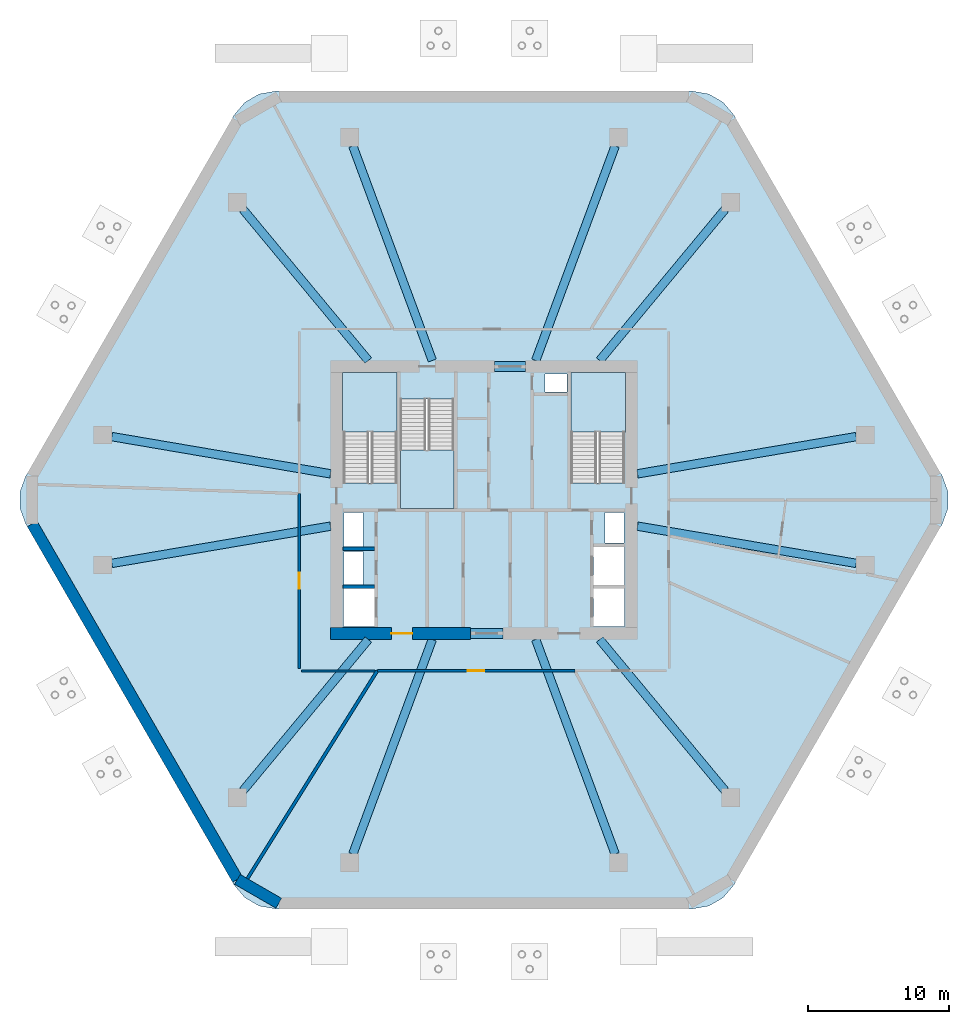
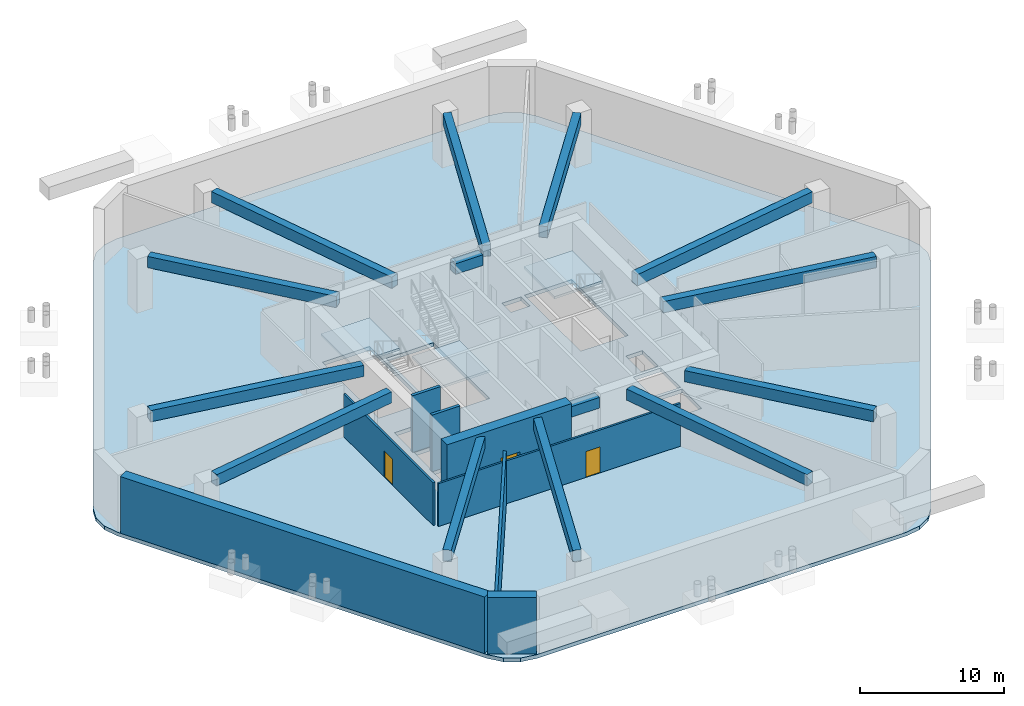
# One storey, part 6 of 10: 14 beams, 9 walls, 4 slabs, 3 doors, 3 openings, 3 elements without a shape of their own.
"""IFC4 building model written with IfcOpenShell, lengths in metres."""

from ifc_helpers import new_model, si_unit, direction, frame, frame_2d, origin, origin_2d, place, context, subcontext, project, spatial, polyline, rectangle, outline, extrude, material, layer, layer_set, material_profile, profile_set, type_object, element, fill, aggregate, save


model = new_model("IFC4")

# Units and contexts
model_context = context("Model", 3, precision=1e-05, world=origin(), true_north=direction((0.0, 1.0)))
body_context = subcontext(model_context, "Body", "Model", "MODEL_VIEW")
ifc_project = project(units=[si_unit("LENGTHUNIT", "METRE"), si_unit("AREAUNIT", "SQUARE_METRE"), si_unit("VOLUMEUNIT", "CUBIC_METRE"), si_unit("PLANEANGLEUNIT", "RADIAN"), si_unit("MASSUNIT", "GRAM", prefix="KILO")], contexts=[model_context])

# Site, building, storey
site_placement = place(None, origin())
site = spatial("IfcSite", under=ifc_project, at=site_placement, CompositionType="ELEMENT")
building_placement = place(site_placement, origin())
building = spatial("IfcBuilding", under=site, at=building_placement, Name="Zuhravey Tower", CompositionType="ELEMENT")
storey_placement = place(building_placement, frame((0.0, 0.0, -4.800048828125)))
storey = spatial("IfcBuildingStorey", under=building, at=storey_placement, Name="B01", CompositionType="ELEMENT", Elevation=-4.800048828125)

# Beams
ifc_material_1 = material(Name="Concrete C50/60", Category="concrete")
ifc_material_profile_1 = material_profile(ifc_material_1, rectangle(XDim=0.60009765625, YDim=0.949951171875, at=origin_2d()), Name="RC-600x950")
ifc_profile_set_1 = profile_set([ifc_material_profile_1], Name="Concrete C50/60")
beam_type_1 = type_object("IfcBeamType", Name="Basement RC Beam 600x950", PredefinedType="BEAM", material=ifc_profile_set_1)
beam_1_placement = place(storey_placement, frame((46.927978515625, 33.861328125, 4.10498046875), z_axis=(0.985803633134, 0.16790234334, 0.0), x_axis=(-0.16790234334, 0.985803633134, 0.0)))
element("IfcBeam", 1, at=beam_1_placement, inside=storey, type_object=beam_type_1, Name="B01 BB1 BM-B01-BB1-01", PredefinedType="BEAM", context=body_context, shape_type="SweptSolid", body=[
    extrude(rectangle(XDim=0.60009765625, YDim=0.949951171875, at=origin_2d()), origin(), (0.0, 0.0, 1.0), 15.782470703125),
])
beam_2_placement = place(storey_placement, frame((44.232421875, 41.927978515625, 4.10498046875), z_axis=(0.63830202718, 0.769786023579, 0.0), x_axis=(-0.769786023579, 0.63830202718, 0.0)))
element("IfcBeam", 2, at=beam_2_placement, inside=storey, type_object=beam_type_1, Name="B01 BB1 BM-B01-BB1-02", PredefinedType="BEAM", context=body_context, shape_type="SweptSolid", body=[
    extrude(rectangle(XDim=0.60009765625, YDim=0.949951171875, at=origin_2d()), origin(), (0.0, 0.0, 1.0), 13.970703125),
])
for number, where, z_axis, x_axis, name in (
    (3, (39.67919921875, 41.927978515625, 4.10498046875), (0.347497019727, 0.937681087194, 0.0), (-0.937681087194, 0.347497019727, 0.0), "B01 BB1 BM-B01-BB1-03"),
    (4, (32.32080078125, 41.927978515625, 4.10498046875), (-0.347497019727, 0.937681087194, 0.0), (-0.937681087194, -0.347497019727, 0.0), "B01 BB1 BM-B01-BB1-04"),
):
    element("IfcBeam", number, at=place(storey_placement, frame(where, z_axis=z_axis, x_axis=x_axis)), inside=storey, type_object=beam_type_1, Name=name, PredefinedType="BEAM", context=body_context, shape_type="SweptSolid", body=[
        extrude(rectangle(XDim=0.60009765625, YDim=0.949951171875, at=origin_2d()), origin(), (0.0, 0.0, 1.0), 16.280029296875),
    ])
beam_3_placement = place(storey_placement, frame((27.767578125, 41.927978515625, 4.10498046875), z_axis=(-0.63830202718, 0.769786023579, 0.0), x_axis=(-0.769786023579, -0.63830202718, 0.0)))
element("IfcBeam", 5, at=beam_3_placement, inside=storey, type_object=beam_type_1, Name="B01 BB1 BM-B01-BB1-05", PredefinedType="BEAM", context=body_context, shape_type="SweptSolid", body=[
    extrude(rectangle(XDim=0.60009765625, YDim=0.949951171875, at=origin_2d()), origin(), (0.0, 0.0, 1.0), 13.970703125),
])
for number, where, z_axis, x_axis, name in (
    (6, (25.072021484375, 33.861328125, 4.10498046875), (-0.985803633134, 0.16790234334, 0.0), (-0.16790234334, -0.985803633134, 0.0), "B01 BB1 BM-B01-BB1-06"),
    (7, (25.072021484375, 30.138671875, 4.10498046875), (-0.985803633134, -0.16790234334, 0.0), (0.16790234334, -0.985803633134, 0.0), "B01 BB1 BM-B01-BB1-07"),
):
    element("IfcBeam", number, at=place(storey_placement, frame(where, z_axis=z_axis, x_axis=x_axis)), inside=storey, type_object=beam_type_1, Name=name, PredefinedType="BEAM", context=body_context, shape_type="SweptSolid", body=[
        extrude(rectangle(XDim=0.60009765625, YDim=0.949951171875, at=origin_2d()), origin(), (0.0, 0.0, 1.0), 15.782470703125),
    ])
beam_4_placement = place(storey_placement, frame((27.767578125, 22.072021484375, 4.10498046875), z_axis=(-0.63830202718, -0.769786023579, 0.0), x_axis=(0.769786023579, -0.63830202718, 0.0)))
element("IfcBeam", 8, at=beam_4_placement, inside=storey, type_object=beam_type_1, Name="B01 BB1 BM-B01-BB1-08", PredefinedType="BEAM", context=body_context, shape_type="SweptSolid", body=[
    extrude(rectangle(XDim=0.60009765625, YDim=0.949951171875, at=origin_2d()), origin(), (0.0, 0.0, 1.0), 13.970703125),
])
for number, where, z_axis, x_axis, name in (
    (9, (32.32080078125, 22.072021484375, 4.10498046875), (-0.347497019727, -0.937681087194, 0.0), (0.937681087194, -0.347497019727, 0.0), "B01 BB1 BM-B01-BB1-09"),
    (10, (39.67919921875, 22.072021484375, 4.10498046875), (0.347497019727, -0.937681087194, 0.0), (0.937681087194, 0.347497019727, 0.0), "B01 BB1 BM-B01-BB1-10"),
):
    element("IfcBeam", number, at=place(storey_placement, frame(where, z_axis=z_axis, x_axis=x_axis)), inside=storey, type_object=beam_type_1, Name=name, PredefinedType="BEAM", context=body_context, shape_type="SweptSolid", body=[
        extrude(rectangle(XDim=0.60009765625, YDim=0.949951171875, at=origin_2d()), origin(), (0.0, 0.0, 1.0), 16.280029296875),
    ])
beam_5_placement = place(storey_placement, frame((44.232421875, 22.072021484375, 4.10498046875), z_axis=(0.63830202718, -0.769786023579, 0.0), x_axis=(0.769786023579, 0.63830202718, 0.0)))
element("IfcBeam", 11, at=beam_5_placement, inside=storey, type_object=beam_type_1, Name="B01 BB1 BM-B01-BB1-11", PredefinedType="BEAM", context=body_context, shape_type="SweptSolid", body=[
    extrude(rectangle(XDim=0.60009765625, YDim=0.949951171875, at=origin_2d()), origin(), (0.0, 0.0, 1.0), 13.970703125),
])
beam_6_placement = place(storey_placement, frame((46.927978515625, 30.138671875, 4.10498046875), z_axis=(0.985803633134, -0.16790234334, 0.0), x_axis=(0.16790234334, 0.985803633134, 0.0)))
element("IfcBeam", 12, at=beam_6_placement, inside=storey, type_object=beam_type_1, Name="B01 BB1 BM-B01-BB1-12", PredefinedType="BEAM", context=body_context, shape_type="SweptSolid", body=[
    extrude(rectangle(XDim=0.60009765625, YDim=0.949951171875, at=origin_2d()), origin(), (0.0, 0.0, 1.0), 15.782470703125),
])
ifc_material_2 = material(Name="Concrete C60/75", Category="concrete")
ifc_material_profile_2 = material_profile(ifc_material_2, rectangle(XDim=0.699951171875, YDim=0.89990234375, at=origin_2d()), Name="RC-700x900")
ifc_profile_set_2 = profile_set([ifc_material_profile_2], Name="Concrete C60/75")
beam_type_2 = type_object("IfcBeamType", Name="Core Coupling Beam RC700x900", PredefinedType="LINTEL", material=ifc_profile_set_2)
beam_7_placement = place(storey_placement, frame((35.052001953125, 22.5, 4.030029296875), z_axis=(1.0, 0.0, 0.0), x_axis=(0.0, 1.0, 0.0)))
element("IfcBeam", 13, at=beam_7_placement, inside=storey, type_object=beam_type_2, Name="B01 CB1 BM-B01-CB-S", PredefinedType="LINTEL", context=body_context, shape_type="SweptSolid", body=[
    extrude(rectangle(XDim=0.699951171875, YDim=0.89990234375, at=origin_2d()), origin(), (0.0, 0.0, 1.0), 2.2958984375),
])
beam_8_placement = place(storey_placement, frame((36.751953125, 41.5, 4.030029296875), z_axis=(1.0, 0.0, 0.0), x_axis=(0.0, 1.0, 0.0)))
element("IfcBeam", 14, at=beam_8_placement, inside=storey, type_object=beam_type_2, Name="B01 CB1 BM-B01-CB-N", PredefinedType="LINTEL", context=body_context, shape_type="SweptSolid", body=[
    extrude(rectangle(XDim=0.699951171875, YDim=0.89990234375, at=origin_2d()), origin(), (0.0, 0.0, 1.0), 2.196044921875),
])

# Slab
ifc_layer_1 = layer(ifc_material_1, 0.320068359375)
ifc_layer_set_1 = layer_set([ifc_layer_1], Name="Concrete C50/60")
slab_type_1 = type_object("IfcSlabType", Name="Basement Suspended Slab 320", PredefinedType="FLOOR", material=ifc_layer_set_1)
slab_1_placement = place(storey_placement, frame((0.0, 0.0, -0.320068359375)))
element("IfcSlab", 15, at=slab_1_placement, inside=storey, type_object=slab_type_1, Name="B01 Basement Suspended Slab FS32", PredefinedType="FLOOR", context=body_context, shape_type="SweptSolid", body=[
    extrude(outline(polyline([(68.618408203125, 30.300048828125), (69.0224609375, 31.40966796875), (69.0224609375, 32.59033203125), (68.618408203125, 33.699951171875), (53.781494140625, 59.3984375), (53.0224609375, 60.302978515625), (52.0, 60.893310546875), (50.8369140625, 61.098388671875), (21.1630859375, 61.098388671875), (20.0, 60.893310546875), (18.9775390625, 60.302978515625), (18.218505859375, 59.3984375), (3.381591796875, 33.699951171875), (2.9775390625, 32.59033203125), (2.9775390625, 31.40966796875), (3.381591796875, 30.300048828125), (18.218505859375, 4.6015625), (18.9775390625, 3.697021484375), (20.0, 3.106689453125), (21.1630859375, 2.901611328125), (50.8369140625, 2.901611328125), (52.0, 3.106689453125), (53.0224609375, 3.697021484375), (53.781494140625, 4.6015625), (68.618408203125, 30.300048828125)]), holes=[polyline([(29.800048828125, 33.20068359375), (29.800048828125, 41.0), (26.0, 41.0), (26.0, 33.20068359375), (29.800048828125, 33.20068359375)]), polyline([(46.0, 33.20068359375), (46.0, 41.0), (42.199951171875, 41.0), (42.199951171875, 33.20068359375), (46.0, 33.20068359375)]), polyline([(30.050048828125, 39.199462890625), (30.050048828125, 31.39990234375), (33.85009765625, 31.39990234375), (33.85009765625, 39.199462890625), (30.050048828125, 39.199462890625)]), polyline([(26.0, 23.0), (28.199951171875, 23.0), (28.199951171875, 25.699951171875), (26.0, 25.699951171875), (26.0, 23.0)]), polyline([(43.800048828125, 23.0), (46.0, 23.0), (46.0, 25.699951171875), (43.800048828125, 25.699951171875), (43.800048828125, 23.0)]), polyline([(43.800048828125, 25.949951171875), (46.0, 25.949951171875), (46.0, 28.64990234375), (43.800048828125, 28.64990234375), (43.800048828125, 25.949951171875)]), polyline([(26.050048828125, 26.0), (27.39990234375, 26.0), (27.39990234375, 28.35009765625), (26.050048828125, 28.35009765625), (26.050048828125, 26.0)]), polyline([(26.050048828125, 28.699951171875), (27.39990234375, 28.699951171875), (27.39990234375, 31.10009765625), (26.050048828125, 31.10009765625), (26.050048828125, 28.699951171875)]), polyline([(44.60009765625, 28.949951171875), (45.949951171875, 28.949951171875), (45.949951171875, 31.10009765625), (44.60009765625, 31.10009765625), (44.60009765625, 28.949951171875)]), polyline([(40.35009765625, 39.699951171875), (41.89990234375, 39.699951171875), (41.89990234375, 40.949951171875), (40.35009765625, 40.949951171875), (40.35009765625, 39.699951171875)])]), origin(), (0.0, 0.0, 1.0), 0.320068359375),
])

# Stair, slab
ifc_material_3 = material(Name="Concrete C40/50", Category="concrete")
stair_type = type_object("IfcStairType", Name="Basement Stair Assembly 4800", PredefinedType="HALF_TURN_STAIR", material=ifc_material_3)
stair_1_placement = place(storey_placement, origin())
stair_1 = element("IfcStair", 16, at=stair_1_placement, inside=storey, type_object=stair_type, Name="B01 Core Exit Stair ST1", PredefinedType="HALF_TURN_STAIR")
ifc_layer_2 = layer(ifc_material_3, 0.199951171875)
ifc_layer_set_2 = layer_set([ifc_layer_2], Name="Concrete C40/50")
slab_type_2 = type_object("IfcSlabType", Name="Stair Landing Slab 200", PredefinedType="LANDING", material=ifc_layer_set_2)
slab_2_placement = place(storey_placement, frame((0.0, 0.0, 2.199951171875)))
slab_2 = element("IfcSlab", 17, at=slab_2_placement, type_object=slab_type_2, Name="ST1 landing 1", PredefinedType="LANDING", context=body_context, shape_type="SweptSolid", body=[
    extrude(outline(polyline([(29.800048828125, 36.840087890625), (29.800048828125, 41.072998046875), (25.927001953125, 41.072998046875), (25.927001953125, 36.840087890625), (29.800048828125, 36.840087890625)])), origin(), (0.0, 0.0, 1.0), 0.2001953125),
])
aggregate(stair_1, [slab_2])

stair_2_placement = place(storey_placement, origin())
stair_2 = element("IfcStair", 18, at=stair_2_placement, inside=storey, type_object=stair_type, Name="B01 Core Exit Stair ST2", PredefinedType="HALF_TURN_STAIR")
slab_3_placement = place(storey_placement, frame((0.0, 0.0, 2.199951171875)))
slab_3 = element("IfcSlab", 19, at=slab_3_placement, type_object=slab_type_2, Name="ST2 landing 1", PredefinedType="LANDING", context=body_context, shape_type="SweptSolid", body=[
    extrude(outline(polyline([(46.072998046875, 36.840087890625), (46.072998046875, 41.072998046875), (42.199951171875, 41.072998046875), (42.199951171875, 36.840087890625), (46.072998046875, 36.840087890625)])), origin(), (0.0, 0.0, 1.0), 0.2001953125),
])
aggregate(stair_2, [slab_3])

stair_3_placement = place(storey_placement, origin())
stair_3 = element("IfcStair", 20, at=stair_3_placement, inside=storey, type_object=stair_type, Name="B01 Core Exit Stair ST3", PredefinedType="HALF_TURN_STAIR")
slab_4_placement = place(storey_placement, frame((0.0, 0.0, 2.199951171875)))
slab_4 = element("IfcSlab", 21, at=slab_4_placement, type_object=slab_type_2, Name="ST3 landing 1", PredefinedType="LANDING", context=body_context, shape_type="SweptSolid", body=[
    extrude(outline(polyline([(30.050048828125, 35.56005859375), (30.050048828125, 31.39990234375), (33.85009765625, 31.39990234375), (33.85009765625, 35.56005859375), (30.050048828125, 35.56005859375)])), origin(), (0.0, 0.0, 1.0), 0.2001953125),
])
aggregate(stair_3, [slab_4])

# Walls
ifc_layer_3 = layer(ifc_material_1, 0.800048828125)
ifc_layer_set_3 = layer_set([ifc_layer_3], Name="Concrete C50/60")
wall_type_1 = type_object("IfcWallType", Name="Basement Retaining Wall 800", PredefinedType="USERDEFINED", material=ifc_layer_set_3)
wall_1_placement = place(storey_placement, frame((3.843505859375, 30.300048828125, 0.0), z_axis=(0.0, 0.0, 1.0), x_axis=(0.499995192696, -0.866028179265, 0.0)))
element("IfcWall", 22, at=wall_1_placement, inside=storey, type_object=wall_type_1, Name="B01 Retaining Wall RW80-08", ObjectType="RETAININGWALL", PredefinedType="USERDEFINED", context=body_context, shape_type="SweptSolid", body=[
    extrude(rectangle(XDim=29.212158203125, YDim=0.800048828125, at=frame_2d((14.60595703125, 0.0))), origin(), (0.0, 0.0, 1.0), 4.800048828125),
])
wall_2_placement = place(storey_placement, frame((18.449462890625, 5.00146484375, 0.0), z_axis=(0.0, 0.0, 1.0), x_axis=(0.866020560687, -0.500008388397, 0.0)))
element("IfcWall", 23, at=wall_2_placement, inside=storey, type_object=wall_type_1, Name="B01 Retaining Wall RW80-09", ObjectType="RETAININGWALL", PredefinedType="USERDEFINED", context=body_context, shape_type="SweptSolid", body=[
    extrude(rectangle(XDim=3.39990234375, YDim=0.800048828125, at=frame_2d((1.699951171875, 0.0))), origin(), (0.0, 0.0, 1.0), 4.800048828125),
])

# Wall, opening, door
ifc_layer_4 = layer(ifc_material_2, 0.85009765625)
ifc_layer_set_4 = layer_set([ifc_layer_4], Name="Concrete C60/75")
wall_type_2 = type_object("IfcWallType", Name="Core Shear Wall 850", PredefinedType="SHEAR", material=ifc_layer_set_4)
wall_3_placement = place(storey_placement, frame((25.074951171875, 22.5, 0.0), z_axis=(0.0, 0.0, 1.0), x_axis=(1.0, 0.0, 0.0)))
wall_3 = element("IfcWall", 24, at=wall_3_placement, inside=storey, type_object=wall_type_2, Name="B01 South-West Core Shear Wall CW85", PredefinedType="SHEAR", context=body_context, shape_type="SweptSolid", body=[
    extrude(rectangle(XDim=9.97509765625, YDim=0.85009765625, at=frame_2d((4.987548828125, 0.0))), origin(), (0.0, 0.0, 1.0), 4.800048828125),
])
opening_1_placement = place(wall_3_placement, frame((4.324951171875, 0.0, 0.0)))
opening_1 = element("IfcOpeningElement", 25, at=opening_1_placement, cuts=wall_3, Name="Opening FFD1", PredefinedType="OPENING", context=body_context, shape_type="SweptSolid", body=[
    extrude(rectangle(XDim=1.5, YDim=2.14990234375, at=frame_2d((0.75, 1.074951171875))), frame((0.0, 0.43701171875, 0.0), z_axis=(0.0, -1.0, 0.0), x_axis=(1.0, 0.0, 0.0)), (0.0, 0.0, 1.0), 0.8740234375),
])
ifc_material_4 = material(Name="Galvanised fire-rated steel leaf", Category="steel")
door_type_1 = type_object("IfcDoorType", Name="Firefighting Lobby Double Door 1500x2150", OperationType="DOUBLE_DOOR_SINGLE_SWING", PredefinedType="DOOR", material=ifc_material_4)
door_1_placement = place(opening_1_placement, origin())
door_1 = element("IfcDoor", 26, at=door_1_placement, inside=storey, type_object=door_type_1, Name="B01 Firefighting Lobby West Door", OperationType="DOUBLE_DOOR_SINGLE_SWING", OverallHeight=2.14990234375, OverallWidth=1.5, PredefinedType="DOOR", context=body_context, shape_type="SweptSolid", body=[
    extrude(rectangle(XDim=1.5, YDim=2.14990234375, at=frame_2d((0.75, 1.074951171875))), frame((0.0, 0.02490234375, 0.0), z_axis=(0.0, -1.0, 0.0), x_axis=(1.0, 0.0, 0.0)), (0.0, 0.0, 1.0), 0.050048828125),
])
fill(opening_1, door_1)

ifc_material_5 = material(Name="Gypsum fire-rated stud partition")
ifc_layer_5 = layer(ifc_material_5, 0.159912109375)
ifc_layer_set_5 = layer_set([ifc_layer_5], Name="Gypsum fire-rated stud partition")
wall_type_3 = type_object("IfcWallType", Name="Corridor Fire Partition 160", PredefinedType="PARTITIONING", material=ifc_layer_set_5)
wall_4_placement = place(storey_placement, frame((22.844970703125, 32.45947265625, 0.0), z_axis=(0.0, 0.0, 1.0), x_axis=(0.0, -1.0, 0.0)))
wall_4 = element("IfcWall", 27, at=wall_4_placement, inside=storey, type_object=wall_type_3, Name="B01 IW16 Partition 022", PredefinedType="PARTITIONING", context=body_context, shape_type="SweptSolid", body=[
    extrude(rectangle(XDim=12.4345703125, YDim=0.159912109375, at=frame_2d((6.21728515625, 0.0))), origin(), (0.0, 0.0, 1.0), 3.630126953125),
])
opening_2_placement = place(wall_4_placement, frame((5.64208984375, 0.0, 0.0)))
opening_2 = element("IfcOpeningElement", 28, at=opening_2_placement, cuts=wall_4, Name="Opening CLD1", PredefinedType="OPENING", context=body_context, shape_type="SweptSolid", body=[
    extrude(rectangle(XDim=1.14990234375, YDim=2.199951171875, at=frame_2d((0.574951171875, 1.10009765625))), frame((0.0, 0.092041015625, 0.0), z_axis=(0.0, -1.0, 0.0), x_axis=(1.0, 0.0, 0.0)), (0.0, 0.0, 1.0), 0.183837890625),
])
ifc_material_6 = material(Name="Acoustic timber leaf with vision lite", Category="wood")
door_type_2 = type_object("IfcDoorType", Name="Classroom Acoustic Door 1150x2200", OperationType="NOTDEFINED", PredefinedType="DOOR", material=ifc_material_6)
door_2_placement = place(opening_2_placement, frame((1.14990234375, 0.0, 0.0), z_axis=(0.0, 0.0, 1.0), x_axis=(-1.0, 0.0, 0.0)))
door_2 = element("IfcDoor", 29, at=door_2_placement, inside=storey, type_object=door_type_2, Name="B01 Door 022.1", OperationType="SINGLE_SWING_RIGHT", OverallHeight=2.199951171875, OverallWidth=1.14990234375, PredefinedType="DOOR", context=body_context, shape_type="SweptSolid", body=[
    extrude(rectangle(XDim=1.14990234375, YDim=2.199951171875, at=frame_2d((0.574951171875, 1.10009765625))), frame((0.0, 0.02490234375, 0.0), z_axis=(0.0, -1.0, 0.0), x_axis=(1.0, 0.0, 0.0)), (0.0, 0.0, 1.0), 0.050048828125),
])
fill(opening_2, door_2)

wall_5_placement = place(storey_placement, frame((28.40478515625, 19.844970703125, 0.0), z_axis=(0.0, 0.0, 1.0), x_axis=(1.0, 0.0, 0.0)))
wall_5 = element("IfcWall", 30, at=wall_5_placement, inside=storey, type_object=wall_type_3, Name="B01 IW16 Partition 023", PredefinedType="PARTITIONING", context=body_context, shape_type="SweptSolid", body=[
    extrude(rectangle(XDim=14.05810546875, YDim=0.159912109375, at=frame_2d((7.029052734375, 0.0))), origin(), (0.0, 0.0, 1.0), 3.630126953125),
])
opening_3_placement = place(wall_5_placement, frame((6.4541015625, 0.0, 0.0)))
opening_3 = element("IfcOpeningElement", 31, at=opening_3_placement, cuts=wall_5, Name="Opening CLD1", PredefinedType="OPENING", context=body_context, shape_type="SweptSolid", body=[
    extrude(rectangle(XDim=1.14990234375, YDim=2.199951171875, at=frame_2d((0.574951171875, 1.10009765625))), frame((0.0, 0.092041015625, 0.0), z_axis=(0.0, -1.0, 0.0), x_axis=(1.0, 0.0, 0.0)), (0.0, 0.0, 1.0), 0.183837890625),
])
door_3_placement = place(opening_3_placement, frame((1.14990234375, 0.0, 0.0), z_axis=(0.0, 0.0, 1.0), x_axis=(-1.0, 0.0, 0.0)))
door_3 = element("IfcDoor", 32, at=door_3_placement, inside=storey, type_object=door_type_2, Name="B01 Door 023.1", OperationType="SINGLE_SWING_LEFT", OverallHeight=2.199951171875, OverallWidth=1.14990234375, PredefinedType="DOOR", context=body_context, shape_type="SweptSolid", body=[
    extrude(rectangle(XDim=1.14990234375, YDim=2.199951171875, at=frame_2d((0.574951171875, 1.10009765625))), frame((0.0, 0.02490234375, 0.0), z_axis=(0.0, -1.0, 0.0), x_axis=(1.0, 0.0, 0.0)), (0.0, 0.0, 1.0), 0.050048828125),
])
fill(opening_3, door_3)

# Walls
wall_6_placement = place(storey_placement, frame((23.02490234375, 19.824951171875, 0.0), z_axis=(0.0, 0.0, 1.0), x_axis=(1.0, 0.0, 0.0)))
element("IfcWall", 33, at=wall_6_placement, inside=storey, type_object=wall_type_3, Name="B01 IW16 Partition 044", PredefinedType="PARTITIONING", context=body_context, shape_type="SweptSolid", body=[
    extrude(rectangle(XDim=5.228271484375, YDim=0.159912109375, at=frame_2d((2.6142578125, 0.0))), origin(), (0.0, 0.0, 1.0), 3.630126953125),
])
ifc_layer_6 = layer(ifc_material_1, 0.25)
ifc_layer_set_6 = layer_set([ifc_layer_6], Name="Concrete C50/60")
wall_type_4 = type_object("IfcWallType", Name="Firefighting Shaft & Stair Wall 250", PredefinedType="SOLIDWALL", material=ifc_layer_set_6)
for number, where, z_axis, x_axis, name in (
    (34, (25.949951171875, 25.824951171875, 0.0), (0.0, 0.0, 1.0), (1.0, 0.0, 0.0), "B01 FW25 Shaft Wall 009"),
    (35, (25.949951171875, 28.52490234375, 0.0), (0.0, 0.0, 1.0), (1.0, 0.0, 0.0), "B01 FW25 Shaft Wall 010"),
):
    element("IfcWall", number, at=place(storey_placement, frame(where, z_axis=z_axis, x_axis=x_axis)), inside=storey, type_object=wall_type_4, Name=name, PredefinedType="SOLIDWALL", context=body_context, shape_type="SweptSolid", body=[
        extrude(rectangle(XDim=2.25, YDim=0.25, at=frame_2d((1.125, 0.0))), origin(), (0.0, 0.0, 1.0), 4.800048828125),
    ])
ifc_material_7 = material(Name="Gypsum acoustic stud assembly")
ifc_layer_7 = layer(ifc_material_7, 0.219970703125)
ifc_layer_set_7 = layer_set([ifc_layer_7], Name="Gypsum acoustic stud assembly")
wall_type_5 = type_object("IfcWallType", Name="School Acoustic Compartment Wall 220", PredefinedType="PARTITIONING", material=ifc_layer_set_7)
wall_7_placement = place(storey_placement, frame((28.40478515625, 19.844970703125, 0.0), z_axis=(0.0, 0.0, 1.0), x_axis=(-0.529922011636, -0.848046379383, 0.0)))
element("IfcWall", 36, at=wall_7_placement, inside=storey, type_object=wall_type_5, Name="B01 IW22 Partition 036", PredefinedType="PARTITIONING", context=body_context, shape_type="SweptSolid", body=[
    extrude(rectangle(XDim=17.687255859375, YDim=0.219970703125, at=frame_2d((8.84375, 0.0))), origin(), (0.0, 0.0, 1.0), 4.47998046875),
])

save(model, "model.ifc")
